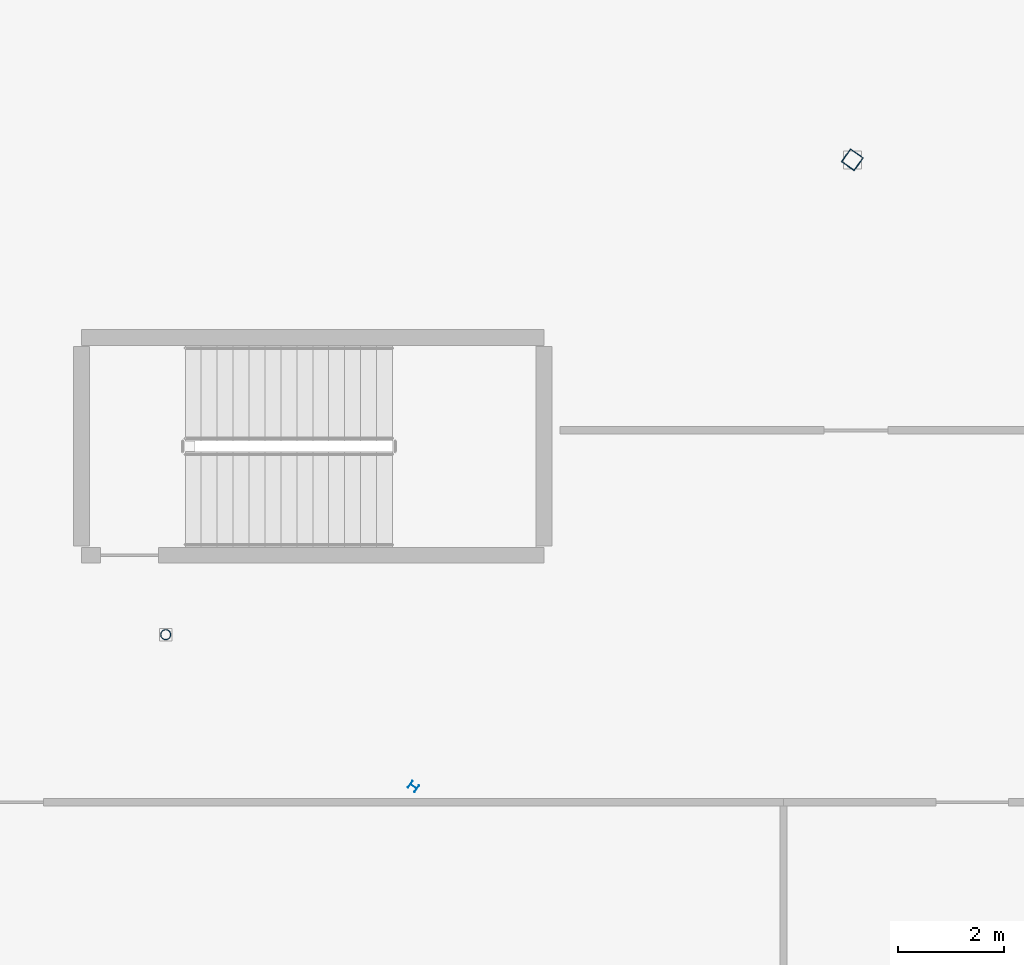
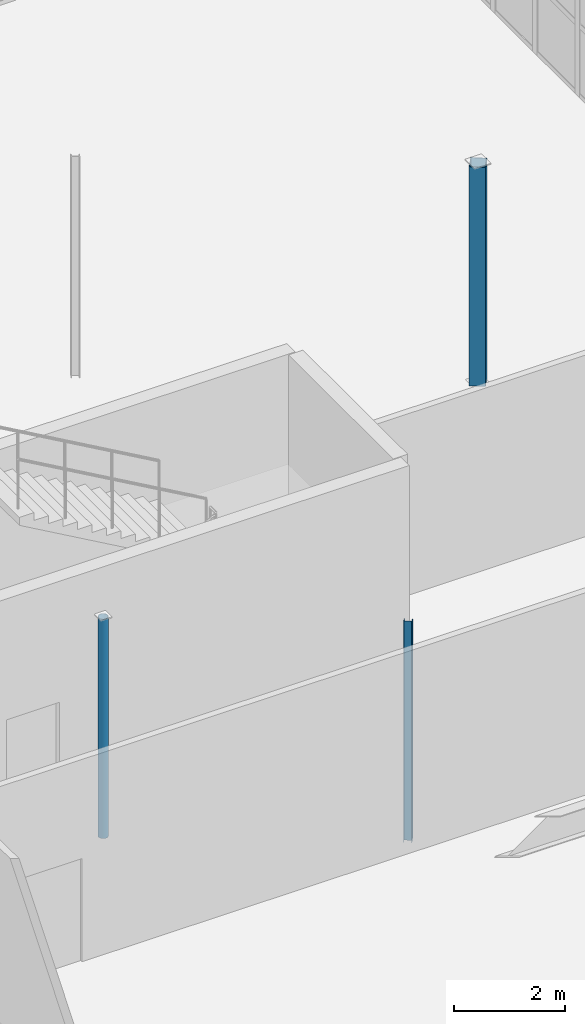
# One storey, part 35 of 226: 3 columns.
"""IFC4 building model written with IfcOpenShell, lengths in metres."""

from ifc_helpers import new_model, si_unit, direction, frame, origin, origin_2d, place, context, subcontext, project, spatial, hollow_rectangle, hollow_circle, i_section, extrude, material, material_profile, profile_set, type_object, element, save


model = new_model("IFC4")

# Units and contexts
model_context = context("Model", 3, precision=1e-05, world=origin(), true_north=direction((0.0, 1.0)))
body_context = subcontext(model_context, "Body", "Model", "MODEL_VIEW")
ifc_project = project(units=[si_unit("LENGTHUNIT", "METRE"), si_unit("AREAUNIT", "SQUARE_METRE"), si_unit("VOLUMEUNIT", "CUBIC_METRE"), si_unit("PLANEANGLEUNIT", "RADIAN"), si_unit("MASSUNIT", "GRAM", prefix="KILO")], contexts=[model_context])

# Site, building, storey
site_placement = place(None, origin())
site = spatial("IfcSite", under=ifc_project, at=site_placement, CompositionType="ELEMENT")
building_placement = place(site_placement, origin())
building = spatial("IfcBuilding", under=site, at=building_placement, Name="Tarnwether General Hospital", CompositionType="ELEMENT")
storey_placement = place(building_placement, frame((0.0, 0.0, 4.800048828125)))
storey = spatial("IfcBuildingStorey", under=building, at=storey_placement, Name="L01", CompositionType="ELEMENT", Elevation=4.800048828125)

# Columns
ifc_material_1 = material(Name="Steel Grade C350L0 (350 MPa)", Category="steel")
ifc_material_profile_1 = material_profile(ifc_material_1, hollow_circle(Radius=0.096923828125, WallThickness=0.008056640625, at=origin_2d()), Name="CHS193.7x8.0")
ifc_profile_set_1 = profile_set([ifc_material_profile_1], Name="Steel Grade C350L0 (350 MPa)")
column_type_1 = type_object("IfcColumnType", Name="COL-29", PredefinedType="COLUMN", material=ifc_profile_set_1)
column_1_placement = place(storey_placement, frame((113.031982421875, 102.555908203125, 0.0), z_axis=(0.0, 0.0, 1.0), x_axis=(0.469471562786, 0.882947592859, 0.0)))
element("IfcColumn", 1, at=column_1_placement, inside=storey, type_object=column_type_1, Name="Column COLG-L01-11303_10256", PredefinedType="COLUMN", context=body_context, shape_type="SweptSolid", body=[
    extrude(hollow_circle(Radius=0.096923828125, WallThickness=0.008056640625, at=origin_2d()), origin(), (0.0, 0.0, 1.0), 4.800048828125),
])
ifc_material_2 = material(Name="Steel Grade C350L0 (350 MPa)", Category="steel")
ifc_material_profile_2 = material_profile(ifc_material_2, hollow_rectangle(XDim=0.300048828125, YDim=0.300048828125, WallThickness=0.012451171875, at=origin_2d()), Name="SHS300x300x12.5")
ifc_profile_set_2 = profile_set([ifc_material_profile_2], Name="Steel Grade C350L0 (350 MPa)")
column_type_2 = type_object("IfcColumnType", Name="COL-30", PredefinedType="COLUMN", material=ifc_profile_set_2)
column_2_placement = place(storey_placement, frame((125.9560546875, 111.493896484375, 0.0), z_axis=(0.0, 0.0, 1.0), x_axis=(0.573576436351, 0.819152044289, 0.0)))
element("IfcColumn", 2, at=column_2_placement, inside=storey, type_object=column_type_2, Name="Column COLG-L01-12596_11149", PredefinedType="COLUMN", context=body_context, shape_type="SweptSolid", body=[
    extrude(hollow_rectangle(XDim=0.300048828125, YDim=0.300048828125, WallThickness=0.012451171875, at=origin_2d()), origin(), (0.0, 0.0, 1.0), 4.800048828125),
])
ifc_material_3 = material(Name="Steel Grade 350 (350 MPa)", Category="steel")
ifc_material_profile_3 = material_profile(ifc_material_3, i_section(OverallWidth=0.153076171875, OverallDepth=0.157958984375, WebThickness=0.006591796875, FlangeThickness=0.009521484375, at=origin_2d()), Name="150UC30.0")
ifc_profile_set_3 = profile_set([ifc_material_profile_3], Name="Steel Grade 350 (350 MPa)")
column_type_3 = type_object("IfcColumnType", Name="COL-31", PredefinedType="COLUMN", material=ifc_profile_set_3)
column_3_placement = place(storey_placement, frame((117.696044921875, 99.697998046875, 0.0), z_axis=(0.0, 0.0, 1.0), x_axis=(0.573576436351, 0.819152044289, 0.0)))
element("IfcColumn", 3, at=column_3_placement, inside=storey, type_object=column_type_3, Name="Column COLG-L01-11770_9970", PredefinedType="COLUMN", context=body_context, shape_type="SweptSolid", body=[
    extrude(i_section(OverallWidth=0.153076171875, OverallDepth=0.157958984375, WebThickness=0.006591796875, FlangeThickness=0.009521484375, at=origin_2d()), origin(), (0.0, 0.0, 1.0), 4.800048828125),
])

save(model, "model.ifc")
